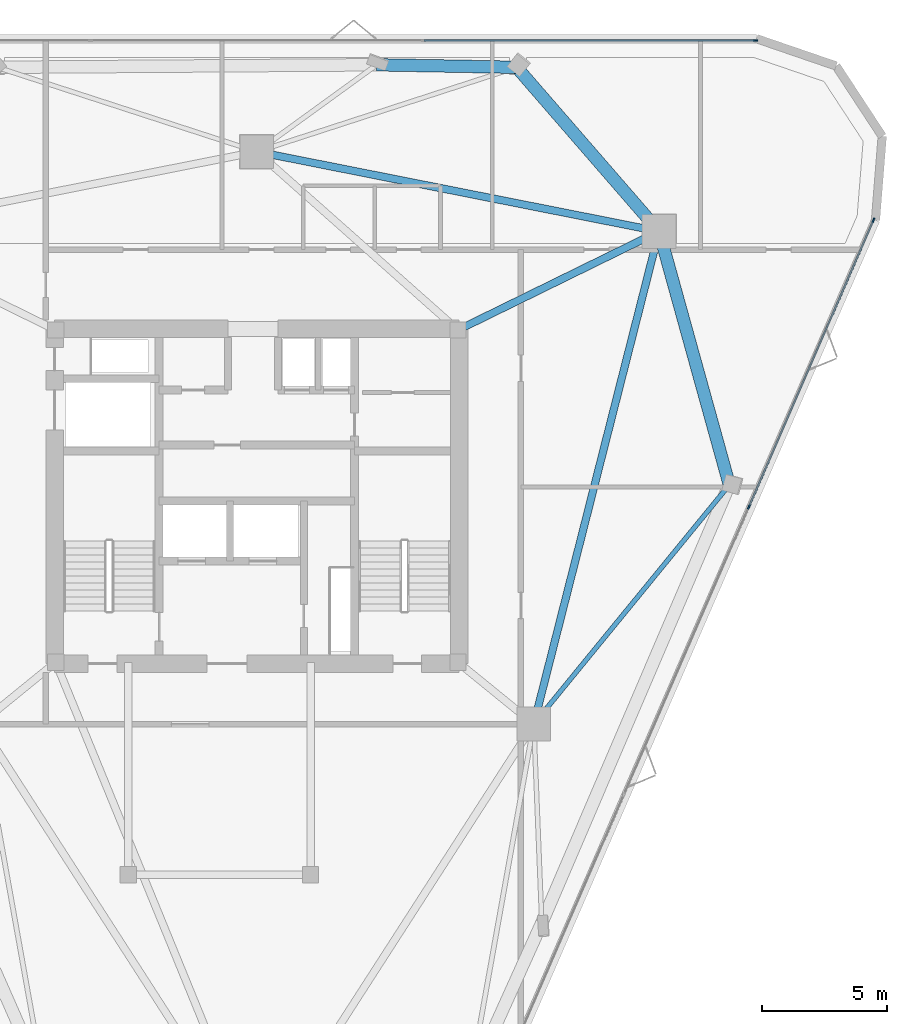
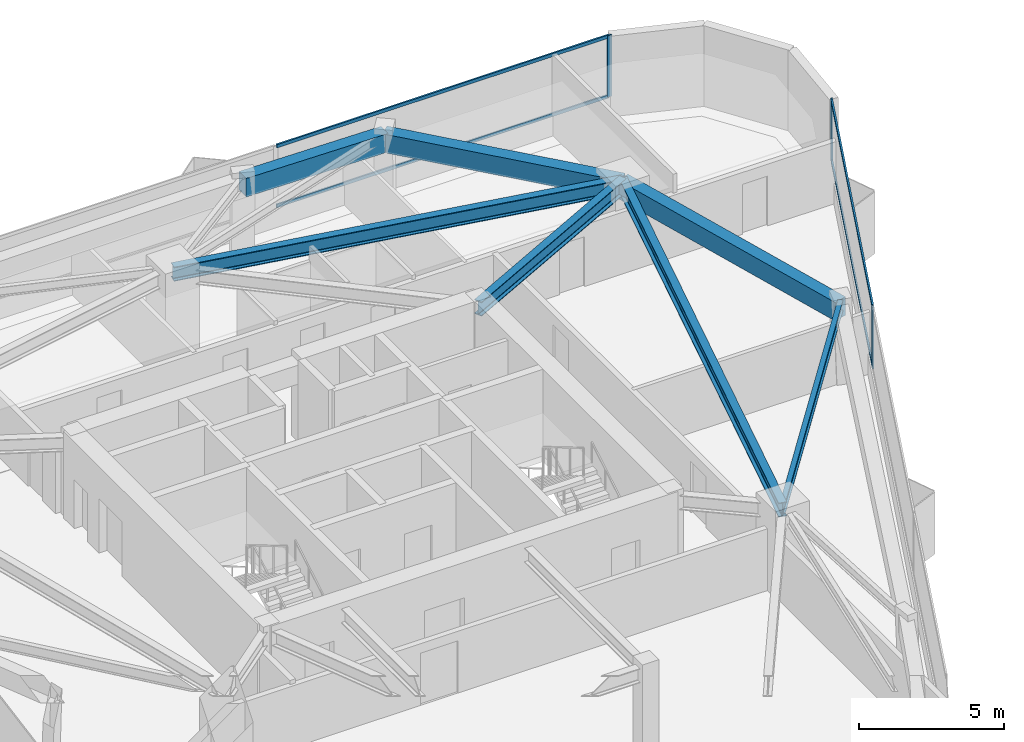
# One storey, part 8 of 13: 7 beams, 7 members, 2 elements without a shape of their own.
"""IFC4 building model written with IfcOpenShell, lengths in metres."""

from ifc_helpers import new_model, si_unit, direction, frame, origin, origin_2d, place, context, subcontext, project, spatial, rectangle, i_section, extrude, material, layer, layer_set, material_profile, profile_set, type_object, element, aggregate, save


model = new_model("IFC4")

# Units and contexts
model_context = context("Model", 3, precision=1e-05, world=origin(), true_north=direction((0.0, 1.0)))
body_context = subcontext(model_context, "Body", "Model", "MODEL_VIEW")
ifc_project = project(units=[si_unit("LENGTHUNIT", "METRE"), si_unit("AREAUNIT", "SQUARE_METRE"), si_unit("VOLUMEUNIT", "CUBIC_METRE"), si_unit("PLANEANGLEUNIT", "RADIAN"), si_unit("MASSUNIT", "GRAM", prefix="KILO")], contexts=[model_context])

# Site, building, storey
site_placement = place(None, origin())
site = spatial("IfcSite", under=ifc_project, at=site_placement, CompositionType="ELEMENT")
building_placement = place(site_placement, origin())
building = spatial("IfcBuilding", under=site, at=building_placement, Name="Talyreon Biosciences Tower", CompositionType="ELEMENT")
storey_placement = place(building_placement, frame((0.0, 0.0, 212.25)))
storey = spatial("IfcBuildingStorey", under=building, at=storey_placement, Name="L56", CompositionType="ELEMENT", Elevation=212.25)

# Curtain wall, member
ifc_material_1 = material(Name="Thermally broken aluminium and low-E glazing", Category="aluminium")
ifc_layer = layer(ifc_material_1, 0.179931640625)
ifc_layer_set = layer_set([ifc_layer], Name="Thermally broken aluminium and low-E glazing")
curtain_wall_type = type_object("IfcCurtainWallType", Name="CurtainWall_Zone4Optical", PredefinedType="NOTDEFINED", material=ifc_layer_set)
curtain_wall_1_placement = place(storey_placement, origin())
curtain_wall_1 = element("IfcCurtainWall", 1, at=curtain_wall_1_placement, inside=storey, type_object=curtain_wall_type, Name="L56 Unitised Curtain Wall FCW-L56-04", PredefinedType="NOTDEFINED")
ifc_material_2 = material(Name="Anodised thermally broken aluminium", Category="aluminium")
ifc_material_profile_1 = material_profile(ifc_material_2, rectangle(XDim=0.06494140625, YDim=0.179931640625, at=origin_2d()), Name="ALUM MULLION 65x180")
ifc_profile_set_1 = profile_set([ifc_material_profile_1], Name="Anodised thermally broken aluminium")
member_type_1 = type_object("IfcMemberType", Name="CWMullion_65x180", PredefinedType="MULLION", material=ifc_profile_set_1)
member_1_placement = place(storey_placement, frame((85.967529296875, 86.23828125, 0.81005859375), z_axis=(0.0, 0.0, 1.0), x_axis=(0.0, 1.0, 0.0)))
member_1 = element("IfcMember", 2, at=member_1_placement, type_object=member_type_1, Name="CW5 mullion 4", PredefinedType="MULLION", context=body_context, shape_type="SweptSolid", body=[
    extrude(rectangle(XDim=0.06494140625, YDim=0.179931640625, at=origin_2d()), origin(), (0.0, 0.0, 1.0), 2.58984375),
])

# Curtain wall, members
curtain_wall_2_placement = place(storey_placement, origin())
curtain_wall_2 = element("IfcCurtainWall", 3, at=curtain_wall_2_placement, inside=storey, type_object=curtain_wall_type, Name="L56 Unitised Curtain Wall FCW-L56-08", PredefinedType="NOTDEFINED")
member_2_placement = place(storey_placement, frame((90.683349609375, 79.048828125, 0.81005859375), z_axis=(0.0, 0.0, 1.0), x_axis=(0.917221993355, -0.398376473835, 0.0)))
member_2 = element("IfcMember", 4, at=member_2_placement, type_object=member_type_1, Name="CW5 mullion 1", PredefinedType="MULLION", context=body_context, shape_type="SweptSolid", body=[
    extrude(rectangle(XDim=0.06494140625, YDim=0.179931640625, at=origin_2d()), origin(), (0.0, 0.0, 1.0), 2.58984375),
])
member_3_placement = place(storey_placement, frame((85.6962890625, 67.566650390625, 0.81005859375), z_axis=(0.0, 0.0, 1.0), x_axis=(0.917221993355, -0.398376473835, 0.0)))
member_3 = element("IfcMember", 5, at=member_3_placement, type_object=member_type_1, Name="CW5 mullion 2", PredefinedType="MULLION", context=body_context, shape_type="SweptSolid", body=[
    extrude(rectangle(XDim=0.06494140625, YDim=0.179931640625, at=origin_2d()), origin(), (0.0, 0.0, 1.0), 2.58984375),
])

# Member
ifc_material_profile_2 = material_profile(ifc_material_2, rectangle(XDim=0.06494140625, YDim=0.139892578125, at=origin_2d()), Name="ALUM TRANSOM 65x140")
ifc_profile_set_2 = profile_set([ifc_material_profile_2], Name="Anodised thermally broken aluminium")
member_type_2 = type_object("IfcMemberType", Name="CWTransom_65x140", PredefinedType="USERDEFINED", material=ifc_profile_set_2)
member_4_placement = place(storey_placement, frame((72.69921875, 86.23828125, 0.842529296875), z_axis=(1.0, 0.0, 0.0), x_axis=(0.0, 1.0, 0.0)))
member_4 = element("IfcMember", 6, at=member_4_placement, type_object=member_type_2, Name="CW5 transom 3.1", ObjectType="TRANSOM", PredefinedType="USERDEFINED", context=body_context, shape_type="SweptSolid", body=[
    extrude(rectangle(XDim=0.06494140625, YDim=0.139892578125, at=origin_2d()), origin(), (0.0, 0.0, 1.0), 13.23583984375),
])

member_5_placement = place(storey_placement, frame((72.69921875, 86.23828125, 3.367431640625), z_axis=(1.0, 0.0, 0.0), x_axis=(0.0, 1.0, 0.0)))
member_5 = element("IfcMember", 7, at=member_5_placement, type_object=member_type_2, Name="CW5 transom 3.2", ObjectType="TRANSOM", PredefinedType="USERDEFINED", context=body_context, shape_type="SweptSolid", body=[
    extrude(rectangle(XDim=0.06494140625, YDim=0.139892578125, at=origin_2d()), origin(), (0.0, 0.0, 1.0), 13.23583984375),
])

aggregate(curtain_wall_1, [member_1, member_4, member_5])

member_6_placement = place(storey_placement, frame((90.67041015625, 79.01904296875, 0.842529296875), z_axis=(-0.398376978135, -0.917221774323, 0.0), x_axis=(0.917221774323, -0.398376978135, 0.0)))
member_6 = element("IfcMember", 8, at=member_6_placement, type_object=member_type_2, Name="CW5 transom 1.1", ObjectType="TRANSOM", PredefinedType="USERDEFINED", context=body_context, shape_type="SweptSolid", body=[
    extrude(rectangle(XDim=0.06494140625, YDim=0.139892578125, at=origin_2d()), origin(), (0.0, 0.0, 1.0), 12.453369140625),
])

member_7_placement = place(storey_placement, frame((90.67041015625, 79.01904296875, 3.367431640625), z_axis=(-0.398376978135, -0.917221774323, 0.0), x_axis=(0.917221774323, -0.398376978135, 0.0)))
member_7 = element("IfcMember", 9, at=member_7_placement, type_object=member_type_2, Name="CW5 transom 1.2", ObjectType="TRANSOM", PredefinedType="USERDEFINED", context=body_context, shape_type="SweptSolid", body=[
    extrude(rectangle(XDim=0.06494140625, YDim=0.139892578125, at=origin_2d()), origin(), (0.0, 0.0, 1.0), 12.453369140625),
])

aggregate(curtain_wall_2, [member_2, member_3, member_6, member_7])

# Beams
ifc_material_3 = material(Name="Precast concrete C45/55", Category="concrete")
ifc_material_profile_3 = material_profile(ifc_material_3, rectangle(XDim=0.5, YDim=0.780029296875, at=origin_2d()), Name="RCB 500x780")
ifc_profile_set_3 = profile_set([ifc_material_profile_3], Name="Precast concrete C45/55")
beam_type_1 = type_object("IfcBeamType", Name="ExpressedSpandrel_500x780", PredefinedType="SPANDREL", material=ifc_profile_set_3)
beam_1_placement = place(storey_placement, frame((84.914794921875, 68.453369140625, 3.010009765625), z_axis=(-0.267147471715, 0.963655658602, 0.0), x_axis=(-0.963655658602, -0.267147471715, 0.0)))
element("IfcBeam", 10, at=beam_1_placement, inside=storey, type_object=beam_type_1, Name="L56 Expressed Horizontal Concrete Spandrel 04", PredefinedType="SPANDREL", context=body_context, shape_type="SweptSolid", body=[
    extrude(rectangle(XDim=0.5, YDim=0.780029296875, at=origin_2d()), origin(), (0.0, 0.0, 1.0), 10.52783203125),
])
beam_2_placement = place(storey_placement, frame((82.102294921875, 78.5986328125, 3.010009765625), z_axis=(-0.655491282226, 0.755202740279, 0.0), x_axis=(-0.755202740279, -0.655491282226, 0.0)))
element("IfcBeam", 11, at=beam_2_placement, inside=storey, type_object=beam_type_1, Name="L56 Expressed Horizontal Concrete Spandrel 05", PredefinedType="SPANDREL", context=body_context, shape_type="SweptSolid", body=[
    extrude(rectangle(XDim=0.5, YDim=0.780029296875, at=origin_2d()), origin(), (0.0, 0.0, 1.0), 8.699462890625),
])
beam_3_placement = place(storey_placement, frame((76.39990234375, 85.16845703125, 3.010009765625), z_axis=(-0.999841057573, 0.017828617193, 0.0), x_axis=(-0.017828617193, -0.999841057573, 0.0)))
element("IfcBeam", 12, at=beam_3_placement, inside=storey, type_object=beam_type_1, Name="L56 Expressed Horizontal Concrete Spandrel 06", PredefinedType="SPANDREL", context=body_context, shape_type="SweptSolid", body=[
    extrude(rectangle(XDim=0.5, YDim=0.780029296875, at=origin_2d()), origin(), (0.0, 0.0, 1.0), 5.600830078125),
])
ifc_material_4 = material(Name="Steel SM355", Category="steel")
ifc_material_profile_4 = material_profile(ifc_material_4, i_section(OverallWidth=0.300048828125, OverallDepth=0.60009765625, WebThickness=0.015380859375, FlangeThickness=0.030029296875, FilletRadius=0.027099609375, at=origin_2d()), Name="HE600B")
ifc_profile_set_4 = profile_set([ifc_material_profile_4], Name="Steel SM355")
beam_type_2 = type_object("IfcBeamType", Name="SteelBeam_HE600B", PredefinedType="BEAM", material=ifc_profile_set_4)
beam_4_placement = place(storey_placement, frame((77.086181640625, 58.88037109375, 3.10009765625), z_axis=(0.246537082299, 0.969133358755, 0.0), x_axis=(-0.969133358755, 0.246537082299, 0.0)))
element("IfcBeam", 13, at=beam_4_placement, inside=storey, type_object=beam_type_2, Name="L56 Mega-Ring Girder 2", PredefinedType="BEAM", context=body_context, shape_type="SweptSolid", body=[
    extrude(i_section(OverallWidth=0.300048828125, OverallDepth=0.60009765625, WebThickness=0.015380859375, FlangeThickness=0.030029296875, FilletRadius=0.027099609375, at=origin_2d()), origin(), (0.0, 0.0, 1.0), 20.34619140625),
])
beam_5_placement = place(storey_placement, frame((82.102294921875, 78.5986328125, 3.10009765625), z_axis=(-0.980933730698, 0.194342522311, 0.0), x_axis=(-0.194342522311, -0.980933730698, 0.0)))
element("IfcBeam", 14, at=beam_5_placement, inside=storey, type_object=beam_type_2, Name="L56 Mega-Ring Girder 3", PredefinedType="BEAM", context=body_context, shape_type="SweptSolid", body=[
    extrude(i_section(OverallWidth=0.300048828125, OverallDepth=0.60009765625, WebThickness=0.015380859375, FlangeThickness=0.030029296875, FilletRadius=0.027099609375, at=origin_2d()), origin(), (0.0, 0.0, 1.0), 16.415283203125),
])
beam_6_placement = place(storey_placement, frame((74.050048828125, 74.64990234375, 3.10009765625), z_axis=(0.897852360314, 0.440296648952, 0.0), x_axis=(-0.440296648952, 0.897852360314, 0.0)))
element("IfcBeam", 15, at=beam_6_placement, inside=storey, type_object=beam_type_2, Name="L56 Radial Primary Girder 3", PredefinedType="BEAM", context=body_context, shape_type="SweptSolid", body=[
    extrude(i_section(OverallWidth=0.300048828125, OverallDepth=0.60009765625, WebThickness=0.015380859375, FlangeThickness=0.030029296875, FilletRadius=0.027099609375, at=origin_2d()), origin(), (0.0, 0.0, 1.0), 8.96826171875),
])
ifc_material_profile_5 = material_profile(ifc_material_4, i_section(OverallWidth=0.18994140625, OverallDepth=0.449951171875, WebThickness=0.009521484375, FlangeThickness=0.0146484375, FilletRadius=0.02099609375, at=origin_2d()), Name="IPE450")
ifc_profile_set_5 = profile_set([ifc_material_profile_5], Name="Steel SM355")
beam_type_3 = type_object("IfcBeamType", Name="SteelJoist_IPE450", PredefinedType="JOIST", material=ifc_profile_set_5)
beam_7_placement = place(storey_placement, frame((77.086181640625, 58.88037109375, 3.175048828125), z_axis=(0.633051785282, 0.774109447786, 0.0), x_axis=(-0.774109447786, 0.633051785282, 0.0)))
element("IfcBeam", 16, at=beam_7_placement, inside=storey, type_object=beam_type_3, Name="L56 Radial Composite Floor Joist PC-SE2", PredefinedType="JOIST", context=body_context, shape_type="SweptSolid", body=[
    extrude(i_section(OverallWidth=0.18994140625, OverallDepth=0.449951171875, WebThickness=0.009521484375, FlangeThickness=0.0146484375, FilletRadius=0.02099609375, at=origin_2d()), origin(), (0.0, 0.0, 1.0), 12.366455078125),
])

save(model, "model.ifc")
